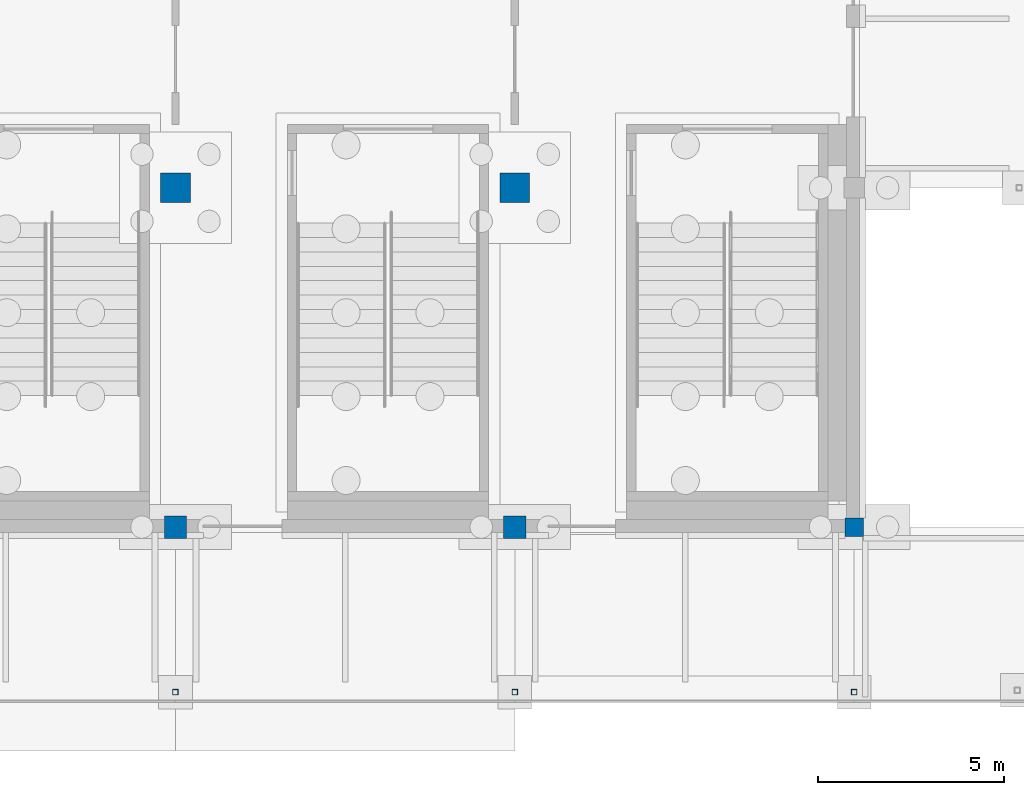
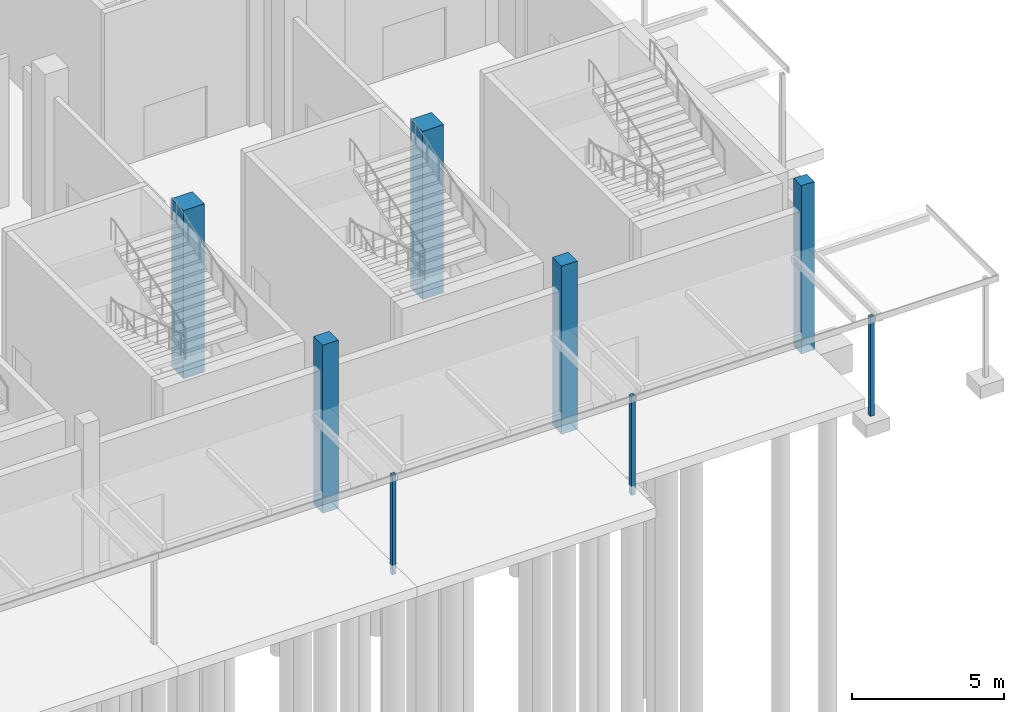
# One storey, part 35 of 129: 8 columns.
"""IFC4 building model written with IfcOpenShell, lengths in metres."""

from ifc_helpers import new_model, si_unit, direction, frame, origin, origin_2d, place, context, subcontext, project, spatial, rectangle, hollow_rectangle, extrude, material, material_profile, profile_set, type_object, element, save


model = new_model("IFC4")

# Units and contexts
model_context = context("Model", 3, precision=1e-05, world=origin(), true_north=direction((0.0, 1.0)))
body_context = subcontext(model_context, "Body", "Model", "MODEL_VIEW")
ifc_project = project(units=[si_unit("LENGTHUNIT", "METRE"), si_unit("AREAUNIT", "SQUARE_METRE"), si_unit("VOLUMEUNIT", "CUBIC_METRE"), si_unit("PLANEANGLEUNIT", "RADIAN"), si_unit("MASSUNIT", "GRAM", prefix="KILO")], contexts=[model_context])

# Site, building, storey
site_placement = place(None, origin())
site = spatial("IfcSite", under=ifc_project, at=site_placement, CompositionType="ELEMENT")
building_placement = place(site_placement, origin())
building = spatial("IfcBuilding", under=site, at=building_placement, Name="Shirokan Park Arena", CompositionType="ELEMENT")
storey_placement = place(building_placement, origin())
storey = spatial("IfcBuildingStorey", under=building, at=storey_placement, Name="L00", CompositionType="ELEMENT", Elevation=0.0)

# Columns
ifc_material_1 = material(Name="Concrete C35", Category="concrete")
ifc_material_profile_1 = material_profile(ifc_material_1, rectangle(XDim=0.5, YDim=0.5, at=origin_2d()), Name="500x500")
ifc_profile_set_1 = profile_set([ifc_material_profile_1], Name="Concrete C35")
column_type_1 = type_object("IfcColumnType", Name="RC column 500x500", PredefinedType="COLUMN", material=ifc_profile_set_1)
column_placement = place(storey_placement, frame((145.60009765625, 0.0, -0.39990234375), z_axis=(0.0, 0.0, 1.0), x_axis=(1.0, 0.0, 0.0)))
element("IfcColumn", 1, at=column_placement, inside=storey, type_object=column_type_1, Name="Column 17A L00", PredefinedType="COLUMN", context=body_context, shape_type="SweptSolid", body=[
    extrude(rectangle(XDim=0.5, YDim=0.5, at=origin_2d()), origin(), (0.0, 0.0, 1.0), 6.77001953125),
])
ifc_material_profile_2 = material_profile(ifc_material_1, rectangle(XDim=0.60009765625, YDim=0.60009765625, at=origin_2d()), Name="600x600")
ifc_profile_set_2 = profile_set([ifc_material_profile_2], Name="Concrete C35")
column_type_2 = type_object("IfcColumnType", Name="RC column 600x600", PredefinedType="COLUMN", material=ifc_profile_set_2)
for number, where, z_axis, x_axis, name in (
    (2, (127.39990234375, 0.0, -0.39990234375), (0.0, 0.0, 1.0), (1.0, 0.0, 0.0), "Column 15A L00"),
    (3, (136.5, 0.0, -0.39990234375), (0.0, 0.0, 1.0), (1.0, 0.0, 0.0), "Column 16A L00"),
):
    element("IfcColumn", number, at=place(storey_placement, frame(where, z_axis=z_axis, x_axis=x_axis)), inside=storey, type_object=column_type_2, Name=name, PredefinedType="COLUMN", context=body_context, shape_type="SweptSolid", body=[
        extrude(rectangle(XDim=0.60009765625, YDim=0.60009765625, at=origin_2d()), origin(), (0.0, 0.0, 1.0), 6.77001953125),
    ])
ifc_material_profile_3 = material_profile(ifc_material_1, rectangle(XDim=0.800048828125, YDim=0.800048828125, at=origin_2d()), Name="800x800")
ifc_profile_set_3 = profile_set([ifc_material_profile_3], Name="Concrete C35")
column_type_3 = type_object("IfcColumnType", Name="RC column 800x800", PredefinedType="COLUMN", material=ifc_profile_set_3)
for number, where, z_axis, x_axis, name in (
    (4, (127.39990234375, 9.10009765625, -0.39990234375), (0.0, 0.0, 1.0), (1.0, 0.0, 0.0), "Column 15B L00"),
    (5, (136.5, 9.10009765625, -0.39990234375), (0.0, 0.0, 1.0), (1.0, 0.0, 0.0), "Column 16B L00"),
):
    element("IfcColumn", number, at=place(storey_placement, frame(where, z_axis=z_axis, x_axis=x_axis)), inside=storey, type_object=column_type_3, Name=name, PredefinedType="COLUMN", context=body_context, shape_type="SweptSolid", body=[
        extrude(rectangle(XDim=0.800048828125, YDim=0.800048828125, at=origin_2d()), origin(), (0.0, 0.0, 1.0), 6.77001953125),
    ])
ifc_material_2 = material(Name="Steel S355", Category="steel")
ifc_material_profile_4 = material_profile(ifc_material_2, hollow_rectangle(XDim=0.14990234375, YDim=0.14990234375, WallThickness=0.008056640625, at=origin_2d()), Name="RHS 150x150x8")
ifc_profile_set_4 = profile_set([ifc_material_profile_4], Name="Steel S355")
column_type_4 = type_object("IfcColumnType", Name="Steel post RHS 150x150x8", PredefinedType="COLUMN", material=ifc_profile_set_4)
for number, where, z_axis, x_axis, name in (
    (6, (127.39990234375, -4.425048828125, -0.39990234375), (0.0, 0.0, 1.0), (1.0, 0.0, 0.0), "Canopy post south grid 15"),
    (7, (136.5, -4.425048828125, -0.39990234375), (0.0, 0.0, 1.0), (1.0, 0.0, 0.0), "Canopy post south grid 16"),
    (8, (145.60009765625, -4.425048828125, -0.39990234375), (0.0, 0.0, 1.0), (1.0, 0.0, 0.0), "Canopy post south grid 17"),
):
    element("IfcColumn", number, at=place(storey_placement, frame(where, z_axis=z_axis, x_axis=x_axis)), inside=storey, type_object=column_type_4, Name=name, PredefinedType="COLUMN", context=body_context, shape_type="SweptSolid", body=[
        extrude(hollow_rectangle(XDim=0.14990234375, YDim=0.14990234375, WallThickness=0.008056640625, at=origin_2d()), origin(), (0.0, 0.0, 1.0), 4.0),
    ])

save(model, "model.ifc")
